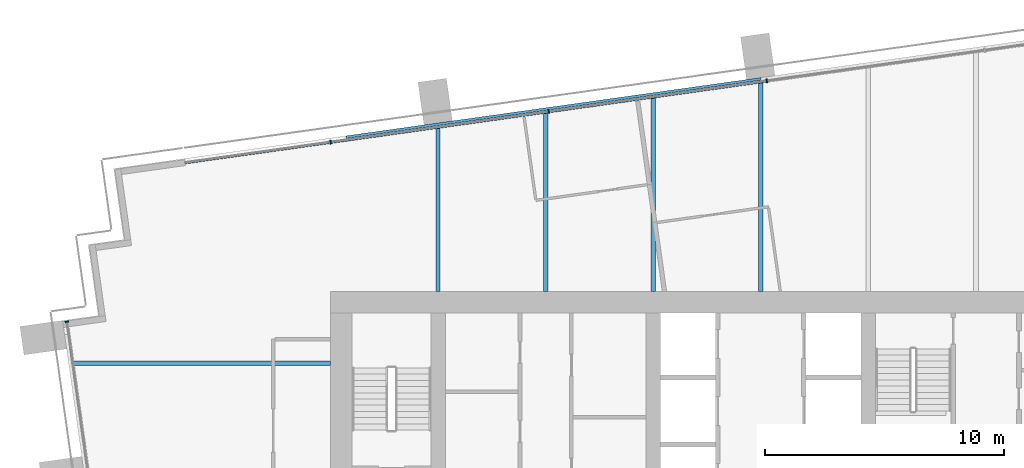
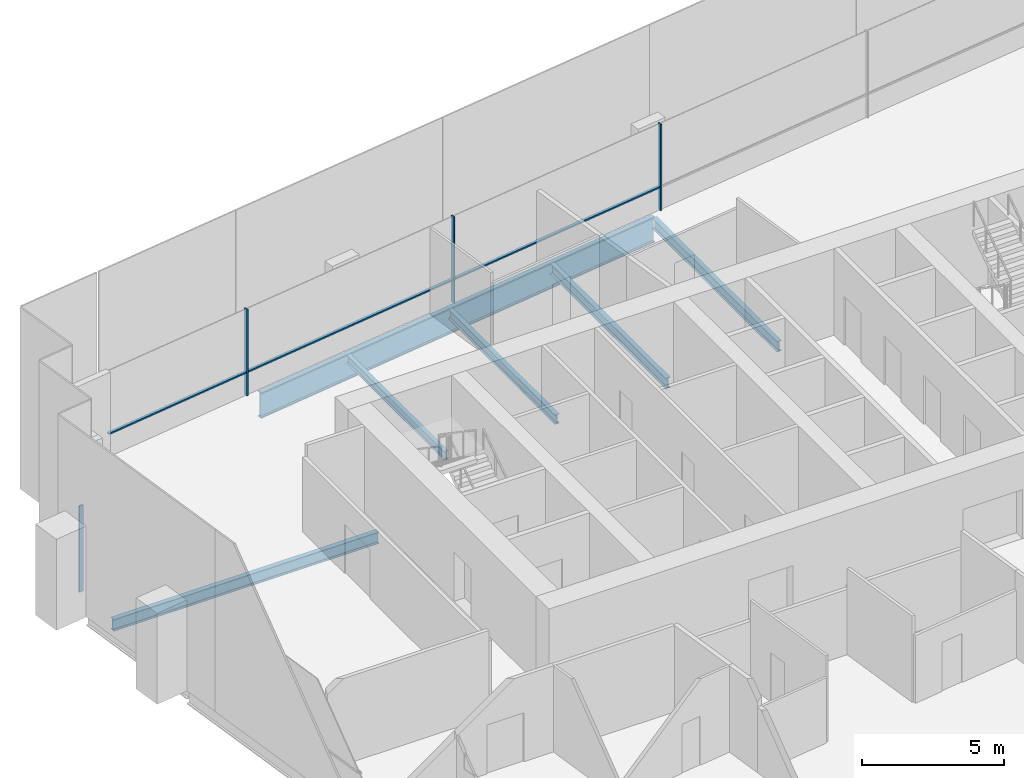
# One storey, part 6 of 17: 7 members, 6 beams, 2 elements without a shape of their own.
"""IFC4 building model written with IfcOpenShell, lengths in metres."""

from ifc_helpers import new_model, si_unit, direction, frame, origin, origin_2d, place, context, subcontext, project, spatial, rectangle, i_section, extrude, material, material_profile, profile_set, type_object, element, aggregate, save


model = new_model("IFC4")

# Units and contexts
model_context = context("Model", 3, precision=1e-05, world=origin(), true_north=direction((0.0, 1.0)))
body_context = subcontext(model_context, "Body", "Model", "MODEL_VIEW")
ifc_project = project(units=[si_unit("LENGTHUNIT", "METRE"), si_unit("AREAUNIT", "SQUARE_METRE"), si_unit("VOLUMEUNIT", "CUBIC_METRE"), si_unit("PLANEANGLEUNIT", "RADIAN"), si_unit("MASSUNIT", "GRAM", prefix="KILO")], contexts=[model_context])

# Site, building, storey
site_placement = place(None, origin())
site = spatial("IfcSite", under=ifc_project, at=site_placement, CompositionType="ELEMENT")
building_placement = place(site_placement, origin())
building = spatial("IfcBuilding", under=site, at=building_placement, Name="Rattan Terrace Tower", CompositionType="ELEMENT")
storey_placement = place(building_placement, frame((0.0, 0.0, 168.5)))
storey = spatial("IfcBuildingStorey", under=building, at=storey_placement, Name="L38", CompositionType="ELEMENT", Elevation=168.5)

# Curtain wall, members
ifc_material_1 = material(Name="Aluminium and glass", Category="aluminium")
curtain_wall_type = type_object("IfcCurtainWallType", Name="Facade Unitised Curtain Wall", PredefinedType="NOTDEFINED", material=ifc_material_1)
curtain_wall_1_placement = place(storey_placement, origin())
curtain_wall_1 = element("IfcCurtainWall", 1, at=curtain_wall_1_placement, inside=storey, type_object=curtain_wall_type, Name="Curtain wall L38-2", PredefinedType="NOTDEFINED")
ifc_material_2 = material(Name="Aluminium", Category="aluminium")
ifc_material_profile_1 = material_profile(ifc_material_2, rectangle(XDim=0.06005859375, YDim=0.159912109375, at=origin_2d()), Name="Aluminium 60x160")
ifc_profile_set_1 = profile_set([ifc_material_profile_1], Name="Aluminium")
member_type_1 = type_object("IfcMemberType", Name="Facade CW Mullion 60x160", PredefinedType="MULLION", material=ifc_profile_set_1)
member_1_placement = place(storey_placement, frame((0.25, 16.3125, 0.0), z_axis=(0.0, 0.0, 1.0), x_axis=(-0.990269702686, -0.139161474347, 0.0)))
member_1 = element("IfcMember", 2, at=member_1_placement, type_object=member_type_1, Name="Mullion cwl-L38-002.3", PredefinedType="MULLION", context=body_context, shape_type="SweptSolid", body=[
    extrude(rectangle(XDim=0.06005859375, YDim=0.159912109375, at=origin_2d()), origin(), (0.0, 0.0, 1.0), 3.699951171875),
])
member_2_placement = place(storey_placement, frame((-8.873291015625, 15.0302734375, 0.0), z_axis=(0.0, 0.0, 1.0), x_axis=(-0.990269702686, -0.139161474347, 0.0)))
member_2 = element("IfcMember", 3, at=member_2_placement, type_object=member_type_1, Name="Mullion cwl-L38-002.4", PredefinedType="MULLION", context=body_context, shape_type="SweptSolid", body=[
    extrude(rectangle(XDim=0.06005859375, YDim=0.159912109375, at=origin_2d()), origin(), (0.0, 0.0, 1.0), 3.699951171875),
])
member_3_placement = place(storey_placement, frame((-17.996826171875, 13.748291015625, 0.0), z_axis=(0.0, 0.0, 1.0), x_axis=(-0.990269702686, -0.139161474347, 0.0)))
member_3 = element("IfcMember", 4, at=member_3_placement, type_object=member_type_1, Name="Mullion cwl-L38-002.5", PredefinedType="MULLION", context=body_context, shape_type="SweptSolid", body=[
    extrude(rectangle(XDim=0.06005859375, YDim=0.159912109375, at=origin_2d()), origin(), (0.0, 0.0, 1.0), 3.699951171875),
])

# Curtain wall, member
curtain_wall_2_placement = place(storey_placement, origin())
curtain_wall_2 = element("IfcCurtainWall", 5, at=curtain_wall_2_placement, inside=storey, type_object=curtain_wall_type, Name="Curtain wall L38-3", PredefinedType="NOTDEFINED")
member_4_placement = place(storey_placement, frame((-29.037109375, 6.2333984375, 0.0), z_axis=(0.0, 0.0, 1.0), x_axis=(0.139190856006, -0.99026557327, 0.0)))
member_4 = element("IfcMember", 6, at=member_4_placement, type_object=member_type_1, Name="Mullion cwl-L38-003.1", PredefinedType="MULLION", context=body_context, shape_type="SweptSolid", body=[
    extrude(rectangle(XDim=0.06005859375, YDim=0.159912109375, at=origin_2d()), origin(), (0.0, 0.0, 1.0), 3.699951171875),
])
aggregate(curtain_wall_2, [member_4])

# Member
ifc_material_3 = material(Name="Aluminium", Category="aluminium")
ifc_material_profile_2 = material_profile(ifc_material_3, rectangle(XDim=0.1201171875, YDim=0.06005859375, at=origin_2d()), Name="Aluminium 120x60")
ifc_profile_set_2 = profile_set([ifc_material_profile_2], Name="Aluminium")
member_type_2 = type_object("IfcMemberType", Name="Facade CW Transom 120x60", PredefinedType="USERDEFINED", material=ifc_profile_set_2)
member_5_placement = place(storey_placement, frame((0.22021484375, 16.308349609375, 1.0), z_axis=(-0.990267035849, -0.139180450171, 0.0), x_axis=(0.139180450171, -0.990267035849, 0.0)))
member_5 = element("IfcMember", 7, at=member_5_placement, type_object=member_type_2, Name="Transom cwl-L38-002.3", ObjectType="TRANSOM", PredefinedType="USERDEFINED", context=body_context, shape_type="SweptSolid", body=[
    extrude(rectangle(XDim=0.1201171875, YDim=0.06005859375, at=origin_2d()), origin(), (0.0, 0.0, 1.0), 9.153076171875),
])

member_6_placement = place(storey_placement, frame((-8.903076171875, 15.026123046875, 1.0), z_axis=(-0.990270711765, -0.139154293575, 0.0), x_axis=(0.139154293575, -0.990270711765, 0.0)))
member_6 = element("IfcMember", 8, at=member_6_placement, type_object=member_type_2, Name="Transom cwl-L38-002.4", ObjectType="TRANSOM", PredefinedType="USERDEFINED", context=body_context, shape_type="SweptSolid", body=[
    extrude(rectangle(XDim=0.1201171875, YDim=0.06005859375, at=origin_2d()), origin(), (0.0, 0.0, 1.0), 9.153076171875),
])

member_7_placement = place(storey_placement, frame((-18.0263671875, 13.744140625, 1.0), z_axis=(-0.990267752185, -0.139175353357, 0.0), x_axis=(0.139175353357, -0.990267752185, 0.0)))
member_7 = element("IfcMember", 9, at=member_7_placement, type_object=member_type_2, Name="Transom cwl-L38-002.5", ObjectType="TRANSOM", PredefinedType="USERDEFINED", context=body_context, shape_type="SweptSolid", body=[
    extrude(rectangle(XDim=0.1201171875, YDim=0.06005859375, at=origin_2d()), origin(), (0.0, 0.0, 1.0), 6.11865234375),
])

aggregate(curtain_wall_1, [member_1, member_2, member_3, member_5, member_6, member_7])

# Beams
ifc_material_4 = material(Name="Steel S460", Category="steel")
ifc_material_profile_3 = material_profile(ifc_material_4, i_section(OverallWidth=0.179931640625, OverallDepth=1.10009765625, WebThickness=0.01611328125, FlangeThickness=0.050048828125, at=origin_2d()), Name="PG 1100x180-16-50")
ifc_profile_set_3 = profile_set([ifc_material_profile_3], Name="Steel S460")
beam_type_1 = type_object("IfcBeamType", Name="Frame edge girder PG 1100x180-16-50", PredefinedType="SPANDREL", material=ifc_profile_set_3)
beam_1_placement = place(storey_placement, frame((-17.347900390625, 13.9208984375, -0.75), z_axis=(0.990273554652, 0.139134061096, 0.0), x_axis=(-0.139134061096, 0.990273554652, 0.0)))
element("IfcBeam", 10, at=beam_1_placement, inside=storey, type_object=beam_type_1, Name="gdr-L38-006", PredefinedType="SPANDREL", context=body_context, shape_type="SweptSolid", body=[
    extrude(i_section(OverallWidth=0.179931640625, OverallDepth=1.10009765625, WebThickness=0.01611328125, FlangeThickness=0.050048828125, at=origin_2d()), origin(), (0.0, 0.0, 1.0), 17.53125),
])
ifc_material_5 = material(Name="Steel S355", Category="steel")
ifc_material_profile_4 = material_profile(ifc_material_5, i_section(OverallWidth=0.169921875, OverallDepth=0.360107421875, WebThickness=0.008056640625, FlangeThickness=0.0126953125, FilletRadius=0.01806640625, at=origin_2d()), Name="IPE 360")
ifc_profile_set_4 = profile_set([ifc_material_profile_4], Name="Steel S355")
beam_type_2 = type_object("IfcBeamType", Name="Frame floor beam IPE 360", PredefinedType="JOIST", material=ifc_profile_set_4)
beam_2_placement = place(storey_placement, frame((-13.5, 7.5, -0.3798828125), z_axis=(0.0, 1.0, 0.0), x_axis=(-1.0, 0.0, 0.0)))
element("IfcBeam", 11, at=beam_2_placement, inside=storey, type_object=beam_type_2, Name="bm-L38-016", PredefinedType="JOIST", context=body_context, shape_type="SweptSolid", body=[
    extrude(i_section(OverallWidth=0.169921875, OverallDepth=0.360107421875, WebThickness=0.008056640625, FlangeThickness=0.0126953125, FilletRadius=0.01806640625, at=origin_2d()), origin(), (0.0, 0.0, 1.0), 6.85888671875),
])
ifc_material_6 = material(Name="Steel S355", Category="steel")
ifc_material_profile_5 = material_profile(ifc_material_6, i_section(OverallWidth=0.179931640625, OverallDepth=0.39990234375, WebThickness=0.008544921875, FlangeThickness=0.013427734375, FilletRadius=0.02099609375, at=origin_2d()), Name="IPE 400")
ifc_profile_set_5 = profile_set([ifc_material_profile_5], Name="Steel S355")
beam_type_3 = type_object("IfcBeamType", Name="Frame floor beam IPE 400", PredefinedType="JOIST", material=ifc_profile_set_5)
beam_3_placement = place(storey_placement, frame((-9.0, 7.5, -0.39990234375), z_axis=(0.0, 1.0, 0.0), x_axis=(-1.0, 0.0, 0.0)))
element("IfcBeam", 12, at=beam_3_placement, inside=storey, type_object=beam_type_3, Name="bm-L38-017", PredefinedType="JOIST", context=body_context, shape_type="SweptSolid", body=[
    extrude(i_section(OverallWidth=0.179931640625, OverallDepth=0.39990234375, WebThickness=0.008544921875, FlangeThickness=0.013427734375, FilletRadius=0.02099609375, at=origin_2d()), origin(), (0.0, 0.0, 1.0), 7.489990234375),
])
ifc_material_7 = material(Name="Steel S355", Category="steel")
ifc_material_profile_6 = material_profile(ifc_material_7, i_section(OverallWidth=0.18994140625, OverallDepth=0.449951171875, WebThickness=0.009521484375, FlangeThickness=0.0146484375, FilletRadius=0.02099609375, at=origin_2d()), Name="IPE 450")
ifc_profile_set_6 = profile_set([ifc_material_profile_6], Name="Steel S355")
beam_type_4 = type_object("IfcBeamType", Name="Frame floor beam IPE 450", PredefinedType="JOIST", material=ifc_profile_set_6)
beam_4_placement = place(storey_placement, frame((-4.5, 7.5, -0.425048828125), z_axis=(0.0, 1.0, 0.0), x_axis=(-1.0, 0.0, 0.0)))
element("IfcBeam", 13, at=beam_4_placement, inside=storey, type_object=beam_type_4, Name="bm-L38-018", PredefinedType="JOIST", context=body_context, shape_type="SweptSolid", body=[
    extrude(i_section(OverallWidth=0.18994140625, OverallDepth=0.449951171875, WebThickness=0.009521484375, FlangeThickness=0.0146484375, FilletRadius=0.02099609375, at=origin_2d()), origin(), (0.0, 0.0, 1.0), 8.1220703125),
])
beam_5_placement = place(storey_placement, frame((0.0, 7.5, -0.425048828125), z_axis=(0.0, 1.0, 0.0), x_axis=(-1.0, 0.0, 0.0)))
element("IfcBeam", 14, at=beam_5_placement, inside=storey, type_object=beam_type_4, Name="bm-L38-019", PredefinedType="JOIST", context=body_context, shape_type="SweptSolid", body=[
    extrude(i_section(OverallWidth=0.18994140625, OverallDepth=0.449951171875, WebThickness=0.009521484375, FlangeThickness=0.0146484375, FilletRadius=0.02099609375, at=origin_2d()), origin(), (0.0, 0.0, 1.0), 8.75390625),
])
ifc_material_8 = material(Name="Steel S355", Category="steel")
ifc_material_profile_7 = material_profile(ifc_material_8, i_section(OverallWidth=0.199951171875, OverallDepth=0.5, WebThickness=0.01025390625, FlangeThickness=0.01611328125, FilletRadius=0.02099609375, at=origin_2d()), Name="IPE 500")
ifc_profile_set_7 = profile_set([ifc_material_profile_7], Name="Steel S355")
beam_type_5 = type_object("IfcBeamType", Name="Frame floor beam IPE 500", PredefinedType="JOIST", material=ifc_profile_set_7)
beam_6_placement = place(storey_placement, frame((-28.77001953125, 4.5, -0.449951171875), z_axis=(1.0, 0.0, 0.0), x_axis=(0.0, 1.0, 0.0)))
element("IfcBeam", 15, at=beam_6_placement, inside=storey, type_object=beam_type_5, Name="bm-L38-014", PredefinedType="JOIST", context=body_context, shape_type="SweptSolid", body=[
    extrude(i_section(OverallWidth=0.199951171875, OverallDepth=0.5, WebThickness=0.01025390625, FlangeThickness=0.01611328125, FilletRadius=0.02099609375, at=origin_2d()), origin(), (0.0, 0.0, 1.0), 10.77001953125),
])

save(model, "model.ifc")
